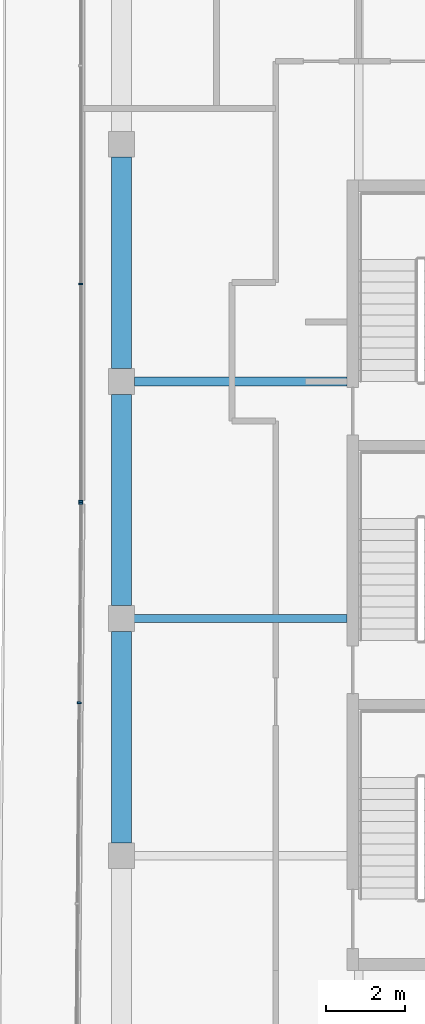
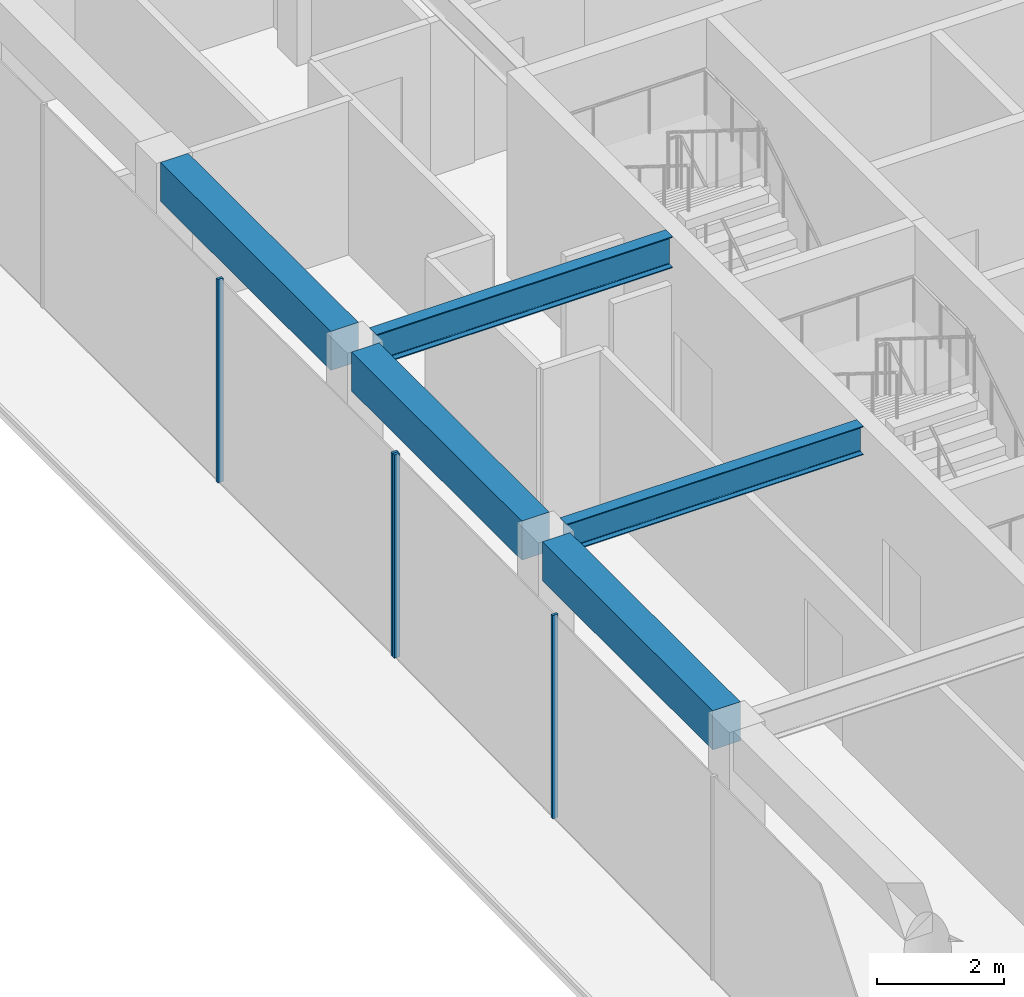
# One storey, part 6 of 17: 5 beams, 4 members, 2 elements without a shape of their own.
"""IFC4 building model written with IfcOpenShell, lengths in metres."""

from ifc_helpers import new_model, si_unit, direction, frame, origin, origin_2d, place, context, subcontext, project, spatial, rectangle, i_section, extrude, material, layer, layer_set, material_profile, profile_set, type_object, element, aggregate, save


model = new_model("IFC4")

# Units and contexts
model_context = context("Model", 3, precision=1e-05, world=origin(), true_north=direction((0.0, 1.0)))
body_context = subcontext(model_context, "Body", "Model", "MODEL_VIEW")
ifc_project = project(units=[si_unit("LENGTHUNIT", "METRE"), si_unit("AREAUNIT", "SQUARE_METRE"), si_unit("VOLUMEUNIT", "CUBIC_METRE"), si_unit("PLANEANGLEUNIT", "RADIAN"), si_unit("MASSUNIT", "GRAM", prefix="KILO")], contexts=[model_context])

# Site, building, storey
site_placement = place(None, origin())
site = spatial("IfcSite", under=ifc_project, at=site_placement, CompositionType="ELEMENT")
building_placement = place(site_placement, origin())
building = spatial("IfcBuilding", under=site, at=building_placement, Name="Welwitschia Terrace Campus", CompositionType="ELEMENT")
storey_placement = place(building_placement, frame((0.0, 0.0, 335.60009765625)))
storey = spatial("IfcBuildingStorey", under=building, at=storey_placement, Name="L75", CompositionType="ELEMENT", Elevation=335.60009765625)

# Beam
ifc_material_1 = material(Name="Steel S355", Category="steel")
ifc_material_profile_1 = material_profile(ifc_material_1, i_section(OverallWidth=0.2099609375, OverallDepth=0.550048828125, WebThickness=0.010986328125, FlangeThickness=0.01708984375, FilletRadius=0.02392578125, at=origin_2d()))
ifc_profile_set_1 = profile_set([ifc_material_profile_1], Name="Steel S355")
beam_type_1 = type_object("IfcBeamType", Name="Interior girder IPE 550", PredefinedType="BEAM", material=ifc_profile_set_1)
beam_1_placement = place(storey_placement, frame((0.3154296875, 14.0, 3.625), z_axis=(1.0, 0.0, 0.0), x_axis=(0.0, 1.0, 0.0)))
element("IfcBeam", 1, at=beam_1_placement, inside=storey, type_object=beam_type_1, Name="Girder GB7", PredefinedType="BEAM", context=body_context, shape_type="SweptSolid", body=[
    extrude(i_section(OverallWidth=0.2099609375, OverallDepth=0.550048828125, WebThickness=0.010986328125, FlangeThickness=0.01708984375, FilletRadius=0.02392578125, at=origin_2d()), origin(), (0.0, 0.0, 1.0), 5.383544921875),
])

# Curtain wall, members
ifc_material_2 = material(Name="Bronze anodised aluminium", Category="aluminium")
ifc_layer = layer(ifc_material_2, 0.10009765625)
ifc_layer_set = layer_set([ifc_layer], Name="Bronze anodised aluminium")
curtain_wall_type = type_object("IfcCurtainWallType", Name="Curtain wall CW5 crown 6000", PredefinedType="NOTDEFINED", material=ifc_layer_set)
curtain_wall_1_placement = place(storey_placement, origin())
curtain_wall_1 = element("IfcCurtainWall", 2, at=curtain_wall_1_placement, inside=storey, type_object=curtain_wall_type, Name="CW L75.1.0", PredefinedType="NOTDEFINED")
ifc_material_3 = material(Name="Bronze anodised aluminium", Category="aluminium")
ifc_material_profile_2 = material_profile(ifc_material_3, rectangle(XDim=0.10009765625, YDim=0.050048828125, at=origin_2d()))
ifc_profile_set_2 = profile_set([ifc_material_profile_2], Name="Bronze anodised aluminium")
member_type = type_object("IfcMemberType", Name="Mullion 50x100", PredefinedType="MULLION", material=ifc_profile_set_2)
member_1_placement = place(storey_placement, frame((-1.030029296875, 22.46484375, 0.0), z_axis=(0.0, 0.0, 1.0), x_axis=(1.0, 0.0, 0.0)))
member_1 = element("IfcMember", 3, at=member_1_placement, type_object=member_type, Name="Mullion L75.1.0.3", PredefinedType="MULLION", context=body_context, shape_type="SweptSolid", body=[
    extrude(rectangle(XDim=0.10009765625, YDim=0.050048828125, at=origin_2d()), origin(), (0.0, 0.0, 1.0), 3.89990234375),
])
member_2_placement = place(storey_placement, frame((-1.030029296875, 16.96826171875, 0.0), z_axis=(0.0, 0.0, 1.0), x_axis=(1.0, 0.0, 0.0)))
member_2 = element("IfcMember", 4, at=member_2_placement, type_object=member_type, Name="Mullion L75.1.0.4", PredefinedType="MULLION", context=body_context, shape_type="SweptSolid", body=[
    extrude(rectangle(XDim=0.10009765625, YDim=0.050048828125, at=origin_2d()), origin(), (0.0, 0.0, 1.0), 3.89990234375),
])
aggregate(curtain_wall_1, [member_1, member_2])

curtain_wall_2_placement = place(storey_placement, origin())
curtain_wall_2 = element("IfcCurtainWall", 5, at=curtain_wall_2_placement, inside=storey, type_object=curtain_wall_type, Name="CW L75.2.0", PredefinedType="NOTDEFINED")
member_3_placement = place(storey_placement, frame((-1.0302734375, 16.918212890625, 0.0), z_axis=(0.0, 0.0, 1.0), x_axis=(0.999961923064, -0.008726535498, 0.0)))
member_3 = element("IfcMember", 6, at=member_3_placement, type_object=member_type, Name="Mullion L75.2.0.0", PredefinedType="MULLION", context=body_context, shape_type="SweptSolid", body=[
    extrude(rectangle(XDim=0.10009765625, YDim=0.050048828125, at=origin_2d()), origin(), (0.0, 0.0, 1.0), 3.89990234375),
])
member_4_placement = place(storey_placement, frame((-1.07421875, 11.864501953125, 0.0), z_axis=(0.0, 0.0, 1.0), x_axis=(0.999961923064, -0.008726535498, 0.0)))
member_4 = element("IfcMember", 7, at=member_4_placement, type_object=member_type, Name="Mullion L75.2.0.1", PredefinedType="MULLION", context=body_context, shape_type="SweptSolid", body=[
    extrude(rectangle(XDim=0.10009765625, YDim=0.050048828125, at=origin_2d()), origin(), (0.0, 0.0, 1.0), 3.89990234375),
])
aggregate(curtain_wall_2, [member_3, member_4])

# Beams
ifc_material_4 = material(Name="Steel S355", Category="steel")
ifc_material_profile_3 = material_profile(ifc_material_4, i_section(OverallWidth=0.219970703125, OverallDepth=0.60009765625, WebThickness=0.011962890625, FlangeThickness=0.01904296875, FilletRadius=0.02392578125, at=origin_2d()))
ifc_profile_set_3 = profile_set([ifc_material_profile_3], Name="Steel S355")
beam_type_2 = type_object("IfcBeamType", Name="Primary beam IPE 600", PredefinedType="BEAM", material=ifc_profile_set_3)
beam_2_placement = place(storey_placement, frame((0.325439453125, 20.0, 3.599853515625), z_axis=(1.0, 0.0, 0.0), x_axis=(0.0, 1.0, 0.0)))
element("IfcBeam", 8, at=beam_2_placement, inside=storey, type_object=beam_type_2, Name="Primary beam PB7", PredefinedType="BEAM", context=body_context, shape_type="SweptSolid", body=[
    extrude(i_section(OverallWidth=0.219970703125, OverallDepth=0.60009765625, WebThickness=0.011962890625, FlangeThickness=0.01904296875, FilletRadius=0.02392578125, at=origin_2d()), origin(), (0.0, 0.0, 1.0), 5.37451171875),
])
ifc_material_5 = material(Name="Concrete C40/50", Category="concrete")
ifc_material_profile_4 = material_profile(ifc_material_5, rectangle(XDim=0.5, YDim=0.75, at=origin_2d()))
ifc_profile_set_4 = profile_set([ifc_material_profile_4], Name="Concrete C40/50")
beam_type_3 = type_object("IfcBeamType", Name="Ring spandrel 500x750", PredefinedType="SPANDREL", material=ifc_profile_set_4)
for number, where, z_axis, x_axis, name in (
    (9, (0.0, 25.674560546875, 3.52490234375), (0.0, -1.0, 0.0), (1.0, 0.0, 0.0), "Spandrel SP5"),
    (10, (0.0, 19.674560546875, 3.52490234375), (0.0, -1.0, 0.0), (1.0, 0.0, 0.0), "Spandrel SP5"),
    (11, (0.0, 13.674560546875, 3.52490234375), (0.0, -1.0, 0.0), (1.0, 0.0, 0.0), "Spandrel SP5"),
):
    element("IfcBeam", number, at=place(storey_placement, frame(where, z_axis=z_axis, x_axis=x_axis)), inside=storey, type_object=beam_type_3, Name=name, PredefinedType="SPANDREL", context=body_context, shape_type="SweptSolid", body=[
        extrude(rectangle(XDim=0.5, YDim=0.75, at=origin_2d()), origin(), (0.0, 0.0, 1.0), 5.34912109375),
    ])

save(model, "model.ifc")
